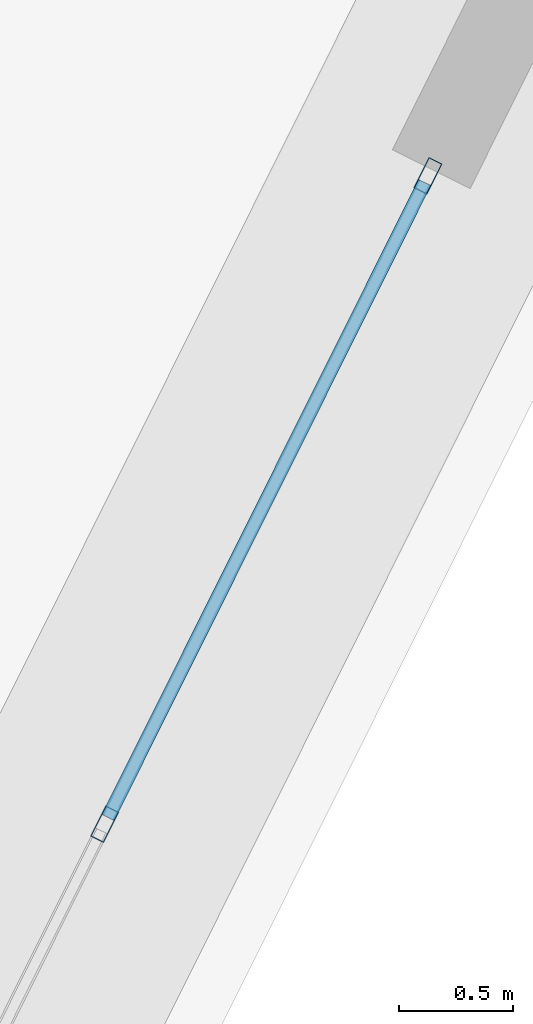
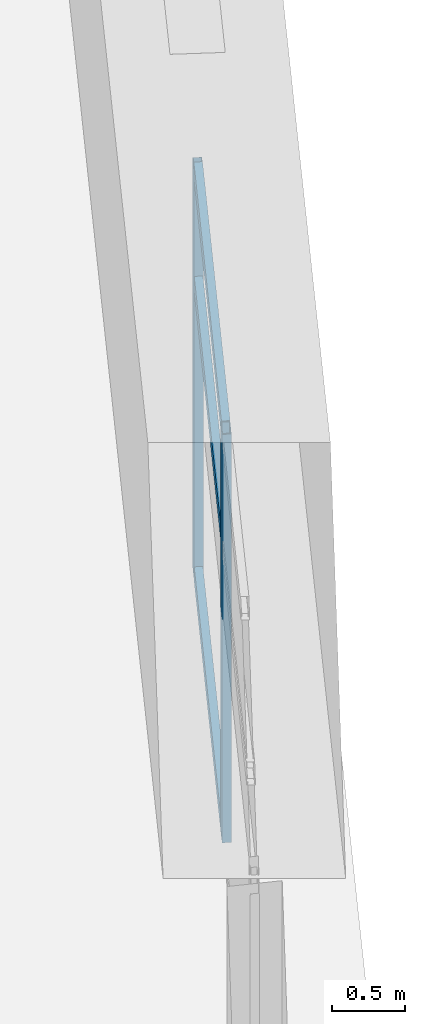
# One storey, part 24 of 39: 5 members, 1 element without a shape of its own.
"""IFC4 building model written with IfcOpenShell, lengths in metres."""

from ifc_helpers import new_model, si_unit, direction, frame, origin, origin_2d, place, context, subcontext, project, spatial, hollow_rectangle, extrude, source, transform, mapped, material, layer, layer_set, material_profile, profile_set, type_object, element, aggregate, save


model = new_model("IFC4")

# Units and contexts
model_context = context("Model", 3, precision=1e-05, world=origin(), true_north=direction((0.0, 1.0)))
body_context = subcontext(model_context, "Body", "Model", "MODEL_VIEW")
ifc_project = project(units=[si_unit("LENGTHUNIT", "METRE"), si_unit("AREAUNIT", "SQUARE_METRE"), si_unit("VOLUMEUNIT", "CUBIC_METRE"), si_unit("PLANEANGLEUNIT", "RADIAN"), si_unit("MASSUNIT", "GRAM", prefix="KILO")], contexts=[model_context])

# Site, building, storey
site_placement = place(None, origin())
site = spatial("IfcSite", under=ifc_project, at=site_placement, CompositionType="ELEMENT")
building_placement = place(site_placement, origin())
building = spatial("IfcBuilding", under=site, at=building_placement, Name="Liaohun Quay Tower", CompositionType="ELEMENT")
storey_placement = place(building_placement, frame((0.0, 0.0, 189.75)))
storey = spatial("IfcBuildingStorey", under=building, at=storey_placement, Name="L49", CompositionType="ELEMENT", Elevation=189.75)

# Curtain wall, members
ifc_material_1 = material(Name="Mid-height zone-break sky-lobby curtain wall")
ifc_layer = layer(ifc_material_1, 0.199951171875, Name="Mid-height zone-break sky-lobby curtain wall")
ifc_layer_set = layer_set([ifc_layer], Name="Mid-height zone-break sky-lobby curtain wall")
curtain_wall_type = type_object("IfcCurtainWallType", Name="CW-SKY-L49", PredefinedType="NOTDEFINED", material=ifc_layer_set)
curtain_wall_placement = place(storey_placement, origin())
curtain_wall = element("IfcCurtainWall", 1, at=curtain_wall_placement, inside=storey, type_object=curtain_wall_type, Name="L49 Panoramic Belvedere Curtain Wall 02", PredefinedType="NOTDEFINED")
ifc_material_2 = material(Name="Anodised aluminium 6063-T6", Category="aluminium")
ifc_material_profile_1 = material_profile(ifc_material_2, hollow_rectangle(XDim=0.06494140625, YDim=0.14990234375, WallThickness=0.00390625, at=origin_2d()), Name="RHS150x65x4")
ifc_profile_set_1 = profile_set([ifc_material_profile_1], Name="Anodised aluminium 6063-T6")
member_type_1 = type_object("IfcMemberType", Name="MEM-CWM-SKY", PredefinedType="MULLION", material=ifc_profile_set_1)
shared_shape_1 = source(origin(), body_context, "Body", "SweptSolid", [
    extrude(hollow_rectangle(XDim=0.06494140625, YDim=0.14990234375, WallThickness=0.00390625, at=origin_2d()), origin(), (0.0, 0.0, 1.0), 3.419921875),
])
member_1_placement = place(storey_placement, frame((87.137939453125, 53.285888671875, 0.0), z_axis=(0.0, 0.0, 1.0), x_axis=(-0.894926591064, 0.446213398059, 0.0)))
member_1 = element("IfcMember", 2, at=member_1_placement, type_object=member_type_1, Name="CW4 mullion 2", PredefinedType="MULLION", context=body_context, shape_type="MappedRepresentation", body=[
    mapped(shared_shape_1, transform((0.0, 0.0, 0.0), x_axis=(1.0, 0.0, 0.0), y_axis=(0.0, 1.0, 0.0), z_axis=(0.0, 0.0, 1.0), scale=1.0)),
])
member_2_placement = place(storey_placement, frame((88.551513671875, 56.120849609375, 0.0), z_axis=(0.0, 0.0, 1.0), x_axis=(-0.894926591064, 0.446213398059, 0.0)))
member_2 = element("IfcMember", 3, at=member_2_placement, type_object=member_type_1, Name="CW4 mullion 3", PredefinedType="MULLION", context=body_context, shape_type="MappedRepresentation", body=[
    mapped(shared_shape_1, transform((0.0, 0.0, 0.0), x_axis=(1.0, 0.0, 0.0), y_axis=(0.0, 1.0, 0.0), z_axis=(0.0, 0.0, 1.0), scale=1.0)),
])
ifc_material_profile_2 = material_profile(ifc_material_2, hollow_rectangle(XDim=0.06005859375, YDim=0.135009765625, WallThickness=0.00390625, at=origin_2d()), Name="RHS135x60x4")
ifc_profile_set_2 = profile_set([ifc_material_profile_2], Name="Anodised aluminium 6063-T6")
member_type_2 = type_object("IfcMemberType", Name="MEM-CWT-SKY", PredefinedType="USERDEFINED", material=ifc_profile_set_2)
shared_shape_2 = source(origin(), body_context, "Body", "SweptSolid", [
    extrude(hollow_rectangle(XDim=0.06005859375, YDim=0.135009765625, WallThickness=0.00390625, at=origin_2d()), origin(), (0.0, 0.0, 1.0), 3.1025390625),
])
member_3_placement = place(storey_placement, frame((87.152587890625, 53.315185546875, 0.030029296875), z_axis=(0.446237602668, 0.894914522156, 0.0), x_axis=(-0.894914522156, 0.446237602668, 0.0)))
member_3 = element("IfcMember", 4, at=member_3_placement, type_object=member_type_2, Name="CW4 transom 2.1", ObjectType="TRANSOM", PredefinedType="USERDEFINED", context=body_context, shape_type="MappedRepresentation", body=[
    mapped(shared_shape_2, transform((0.0, 0.0, 0.0), x_axis=(1.0, 0.0, 0.0), y_axis=(0.0, 1.0, 0.0), z_axis=(0.0, 0.0, 1.0), scale=1.0)),
])
member_4_placement = place(storey_placement, frame((87.152587890625, 53.315185546875, 2.4619140625), z_axis=(0.446237602668, 0.894914522156, 0.0), x_axis=(-0.894914522156, 0.446237602668, 0.0)))
member_4 = element("IfcMember", 5, at=member_4_placement, type_object=member_type_2, Name="CW4 transom 2.2", ObjectType="TRANSOM", PredefinedType="USERDEFINED", context=body_context, shape_type="MappedRepresentation", body=[
    mapped(shared_shape_2, transform((0.0, 0.0, 0.0), x_axis=(1.0, 0.0, 0.0), y_axis=(0.0, 1.0, 0.0), z_axis=(0.0, 0.0, 1.0), scale=1.0)),
])
member_5_placement = place(storey_placement, frame((87.152587890625, 53.315185546875, 3.389892578125), z_axis=(0.446237602668, 0.894914522156, 0.0), x_axis=(-0.894914522156, 0.446237602668, 0.0)))
member_5 = element("IfcMember", 6, at=member_5_placement, type_object=member_type_2, Name="CW4 transom 2.3", ObjectType="TRANSOM", PredefinedType="USERDEFINED", context=body_context, shape_type="MappedRepresentation", body=[
    mapped(shared_shape_2, transform((0.0, 0.0, 0.0), x_axis=(1.0, 0.0, 0.0), y_axis=(0.0, 1.0, 0.0), z_axis=(0.0, 0.0, 1.0), scale=1.0)),
])
aggregate(curtain_wall, [member_1, member_2, member_3, member_4, member_5])

save(model, "model.ifc")
